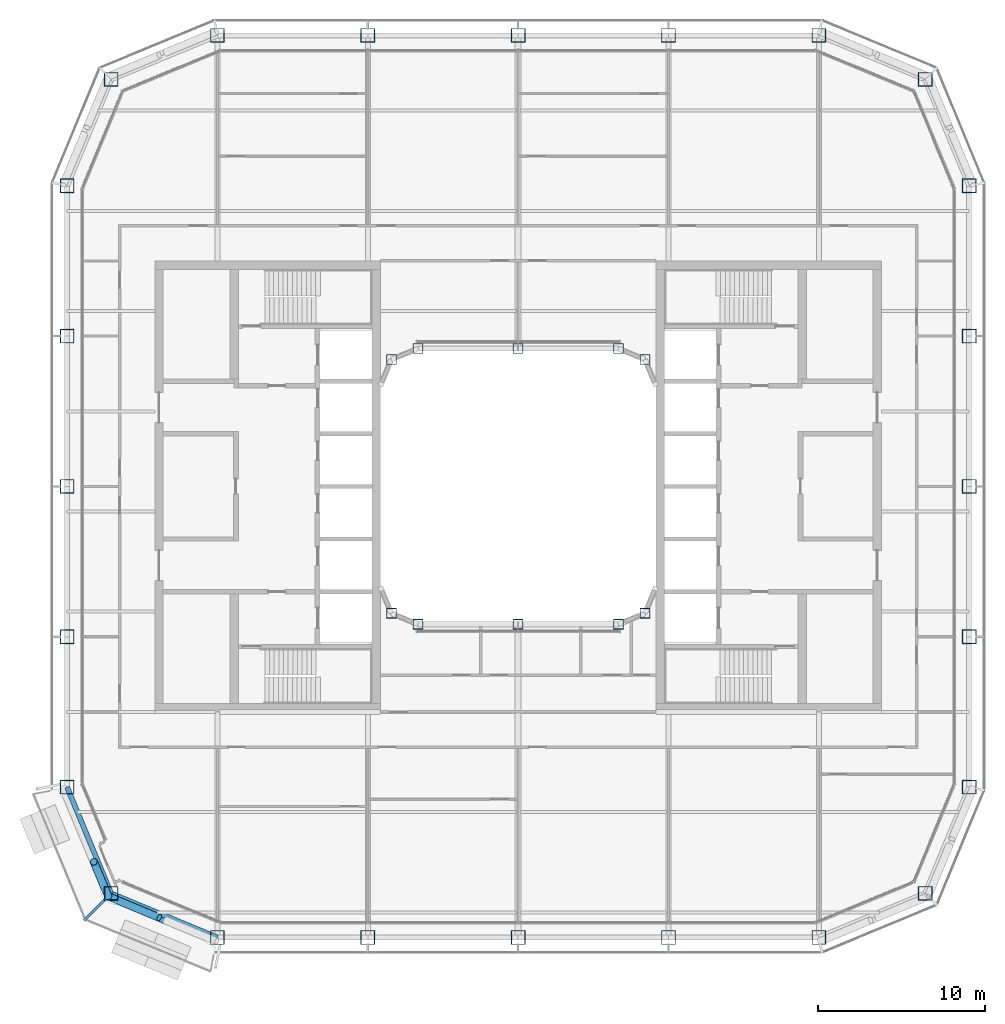
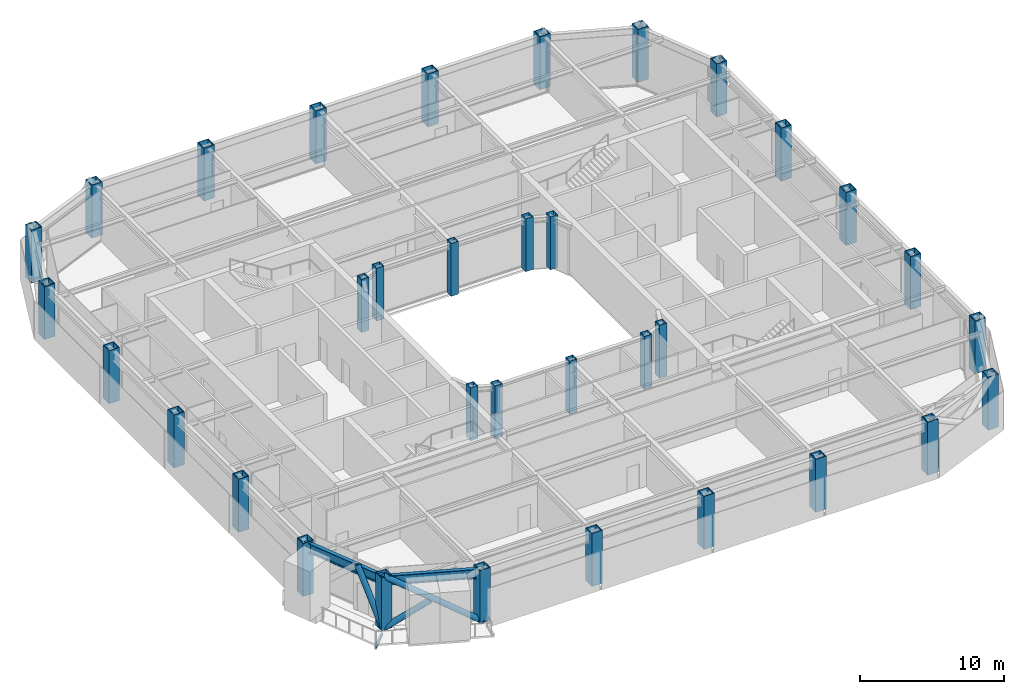
# One storey, part 1 of 23: 34 columns, 3 beams, 3 members.
"""IFC4 building model written with IfcOpenShell, lengths in metres."""

from ifc_helpers import new_model, si_unit, direction, frame, origin, origin_2d, place, context, subcontext, project, spatial, hollow_rectangle, hollow_circle, i_section, extrude, material, material_profile, profile_set, type_object, element, save


model = new_model("IFC4")

# Units and contexts
model_context = context("Model", 3, precision=1e-05, world=origin(), true_north=direction((0.0, 1.0)))
body_context = subcontext(model_context, "Body", "Model", "MODEL_VIEW")
ifc_project = project(units=[si_unit("LENGTHUNIT", "METRE"), si_unit("AREAUNIT", "SQUARE_METRE"), si_unit("VOLUMEUNIT", "CUBIC_METRE"), si_unit("PLANEANGLEUNIT", "RADIAN"), si_unit("MASSUNIT", "GRAM", prefix="KILO")], contexts=[model_context])

# Site, building, storey
site_placement = place(None, origin())
site = spatial("IfcSite", under=ifc_project, at=site_placement, CompositionType="ELEMENT")
building_placement = place(site_placement, origin())
building = spatial("IfcBuilding", under=site, at=building_placement, Name="Siwar Civic Tower", CompositionType="ELEMENT")
storey_placement = place(building_placement, frame((0.0, 0.0, 233.199951171875)))
storey = spatial("IfcBuildingStorey", under=building, at=storey_placement, Name="L50", CompositionType="ELEMENT", Elevation=233.199951171875)

# Columns
ifc_material_1 = material(Name="Steel S355", Category="steel")
ifc_material_profile_1 = material_profile(ifc_material_1, hollow_rectangle(XDim=0.85009765625, YDim=0.85009765625, WallThickness=0.050048828125, at=origin_2d()), Name="BOX850x850x50")
ifc_profile_set_1 = profile_set([ifc_material_profile_1], Name="Steel S355")
column_type_1 = type_object("IfcColumnType", Name="STR-COL-BOX850x850x50", PredefinedType="COLUMN", material=ifc_profile_set_1)
for number, where, z_axis, x_axis, name in (
    (1, (-18.0, -27.0, 0.0), (0.0, 0.0, 1.0), (1.0, 0.0, 0.0), "L50/col/S-0"),
    (2, (-9.0, -27.0, 0.0), (0.0, 0.0, 1.0), (1.0, 0.0, 0.0), "L50/col/S-1"),
    (3, (0.0, -27.0, 0.0), (0.0, 0.0, 1.0), (1.0, 0.0, 0.0), "L50/col/S-2"),
    (4, (9.0, -27.0, 0.0), (0.0, 0.0, 1.0), (1.0, 0.0, 0.0), "L50/col/S-3"),
    (5, (18.0, -27.0, 0.0), (0.0, 0.0, 1.0), (1.0, 0.0, 0.0), "L50/col/SE1-0"),
    (6, (24.364013671875, -24.364013671875, 0.0), (0.0, 0.0, 1.0), (1.0, 0.0, 0.0), "L50/col/SE2-0"),
    (7, (27.0, -18.0, 0.0), (0.0, 0.0, 1.0), (1.0, 0.0, 0.0), "L50/col/E-0"),
    (8, (27.0, -9.0, 0.0), (0.0, 0.0, 1.0), (1.0, 0.0, 0.0), "L50/col/E-1"),
    (9, (27.0, 0.0, 0.0), (0.0, 0.0, 1.0), (1.0, 0.0, 0.0), "L50/col/E-2"),
    (10, (27.0, 9.0, 0.0), (0.0, 0.0, 1.0), (1.0, 0.0, 0.0), "L50/col/E-3"),
    (11, (27.0, 18.0, 0.0), (0.0, 0.0, 1.0), (1.0, 0.0, 0.0), "L50/col/NE1-0"),
    (12, (24.364013671875, 24.364013671875, 0.0), (0.0, 0.0, 1.0), (1.0, 0.0, 0.0), "L50/col/NE2-0"),
    (13, (18.0, 27.0, 0.0), (0.0, 0.0, 1.0), (1.0, 0.0, 0.0), "L50/col/N-0"),
    (14, (9.0, 27.0, 0.0), (0.0, 0.0, 1.0), (1.0, 0.0, 0.0), "L50/col/N-1"),
    (15, (0.0, 27.0, 0.0), (0.0, 0.0, 1.0), (1.0, 0.0, 0.0), "L50/col/N-2"),
    (16, (-9.0, 27.0, 0.0), (0.0, 0.0, 1.0), (1.0, 0.0, 0.0), "L50/col/N-3"),
    (17, (-18.0, 27.0, 0.0), (0.0, 0.0, 1.0), (1.0, 0.0, 0.0), "L50/col/NW1-0"),
    (18, (-24.364013671875, 24.364013671875, 0.0), (0.0, 0.0, 1.0), (1.0, 0.0, 0.0), "L50/col/NW2-0"),
    (19, (-27.0, 18.0, 0.0), (0.0, 0.0, 1.0), (1.0, 0.0, 0.0), "L50/col/W-0"),
    (20, (-27.0, 9.0, 0.0), (0.0, 0.0, 1.0), (1.0, 0.0, 0.0), "L50/col/W-1"),
    (21, (-27.0, 0.0, 0.0), (0.0, 0.0, 1.0), (1.0, 0.0, 0.0), "L50/col/W-2"),
    (22, (-27.0, -9.0, 0.0), (0.0, 0.0, 1.0), (1.0, 0.0, 0.0), "L50/col/W-3"),
    (23, (-27.0, -18.0, 0.0), (0.0, 0.0, 1.0), (1.0, 0.0, 0.0), "L50/col/SW1-0"),
    (24, (-24.364013671875, -24.364013671875, 0.0), (0.0, 0.0, 1.0), (1.0, 0.0, 0.0), "L50/col/SW2-0"),
):
    element("IfcColumn", number, at=place(storey_placement, frame(where, z_axis=z_axis, x_axis=x_axis)), inside=storey, type_object=column_type_1, Name=name, PredefinedType="COLUMN", context=body_context, shape_type="SweptSolid", body=[
        extrude(hollow_rectangle(XDim=0.85009765625, YDim=0.85009765625, WallThickness=0.050048828125, at=origin_2d()), origin(), (0.0, 0.0, 1.0), 4.5),
    ])
ifc_material_2 = material(Name="Steel S355", Category="steel")
ifc_material_profile_2 = material_profile(ifc_material_2, hollow_rectangle(XDim=0.60009765625, YDim=0.60009765625, WallThickness=0.031982421875, at=origin_2d()), Name="BOX600x600x32")
ifc_profile_set_2 = profile_set([ifc_material_profile_2], Name="Steel S355")
column_type_2 = type_object("IfcColumnType", Name="STR-ICOL-BOX600x600x32", PredefinedType="COLUMN", material=ifc_profile_set_2)
for number, where, z_axis, x_axis, name in (
    (25, (-7.591064453125, -7.591064453125, 0.0), (0.0, 0.0, 1.0), (1.0, 0.0, 0.0), "L50/col/IS-0"),
    (26, (-6.0, -8.25, 0.0), (0.0, 0.0, 1.0), (1.0, 0.0, 0.0), "L50/col/IS-1"),
    (27, (0.0, -8.25, 0.0), (0.0, 0.0, 1.0), (1.0, 0.0, 0.0), "L50/col/IS-2"),
    (28, (6.0, -8.25, 0.0), (0.0, 0.0, 1.0), (1.0, 0.0, 0.0), "L50/col/IS-3"),
    (29, (7.591064453125, -7.591064453125, 0.0), (0.0, 0.0, 1.0), (1.0, 0.0, 0.0), "L50/col/IS-4"),
    (30, (-7.591064453125, 7.591064453125, 0.0), (0.0, 0.0, 1.0), (1.0, 0.0, 0.0), "L50/col/IN-0"),
    (31, (-6.0, 8.25, 0.0), (0.0, 0.0, 1.0), (1.0, 0.0, 0.0), "L50/col/IN-1"),
    (32, (0.0, 8.25, 0.0), (0.0, 0.0, 1.0), (1.0, 0.0, 0.0), "L50/col/IN-2"),
    (33, (6.0, 8.25, 0.0), (0.0, 0.0, 1.0), (1.0, 0.0, 0.0), "L50/col/IN-3"),
    (34, (7.591064453125, 7.591064453125, 0.0), (0.0, 0.0, 1.0), (1.0, 0.0, 0.0), "L50/col/IN-4"),
):
    element("IfcColumn", number, at=place(storey_placement, frame(where, z_axis=z_axis, x_axis=x_axis)), inside=storey, type_object=column_type_2, Name=name, PredefinedType="COLUMN", context=body_context, shape_type="SweptSolid", body=[
        extrude(hollow_rectangle(XDim=0.60009765625, YDim=0.60009765625, WallThickness=0.031982421875, at=origin_2d()), origin(), (0.0, 0.0, 1.0), 4.5),
    ])

# Beam
ifc_material_3 = material(Name="Steel S355", Category="steel")
ifc_material_profile_3 = material_profile(ifc_material_3, hollow_rectangle(XDim=0.14990234375, YDim=0.25, WallThickness=0.010009765625, at=origin_2d()), Name="RHS250x150x10")
ifc_profile_set_3 = profile_set([ifc_material_profile_3], Name="Steel S355")
beam_type_1 = type_object("IfcBeamType", Name="ENV-BALCONY ARM", PredefinedType="BEAM", material=ifc_profile_set_3)
beam_placement = place(storey_placement, frame((-24.753662109375, -24.753662109375, -0.27490234375), z_axis=(-0.707106781187, -0.707106781187, 0.0), x_axis=(0.707106781187, -0.707106781187, 0.0)))
element("IfcBeam", 35, at=beam_placement, inside=storey, type_object=beam_type_1, Name="Balcony cantilever beam SW 2", PredefinedType="BEAM", context=body_context, shape_type="SweptSolid", body=[
    extrude(hollow_rectangle(XDim=0.14990234375, YDim=0.25, WallThickness=0.010009765625, at=origin_2d()), origin(), (0.0, 0.0, 1.0), 1.721923828125),
])

# Members
ifc_material_4 = material(Name="Steel S355", Category="steel")
ifc_material_profile_4 = material_profile(ifc_material_4, hollow_circle(Radius=0.228515625, WallThickness=0.02001953125, at=origin_2d()), Name="CHS457x20")
ifc_profile_set_4 = profile_set([ifc_material_profile_4], Name="Steel S355")
member_type = type_object("IfcMemberType", Name="STR-BR-CHS457x20", PredefinedType="BRACE", material=ifc_profile_set_4)
member_1_placement = place(storey_placement, frame((-18.048828125, -27.2451171875, 0.0), z_axis=(-0.777554562952, 0.323905527954, 0.538975055633), x_axis=(-0.384538969033, -0.923108759191, 0.0)))
element("IfcMember", 36, at=member_1_placement, inside=storey, type_object=member_type, Name="L50/brc/CSW1-10-0-1", PredefinedType="BRACE", context=body_context, shape_type="SweptSolid", body=[
    extrude(hollow_circle(Radius=0.228515625, WallThickness=0.02001953125, at=origin_2d()), origin(), (0.0, 0.0, 1.0), 8.34912109375),
])
member_2_placement = place(storey_placement, frame((-24.540771484375, -24.540771484375, 0.0), z_axis=(0.777546448489, -0.323884455881, 0.538999424564), x_axis=(0.38452107079, 0.92311621485, 0.0)))
element("IfcMember", 37, at=member_2_placement, inside=storey, type_object=member_type, Name="L50/brc/CSW1-10-0-2", PredefinedType="BRACE", context=body_context, shape_type="SweptSolid", body=[
    extrude(hollow_circle(Radius=0.228515625, WallThickness=0.02001953125, at=origin_2d()), origin(), (0.0, 0.0, 1.0), 3.927978515625),
])
member_3_placement = place(storey_placement, frame((-24.540771484375, -24.540771484375, 0.0), z_axis=(-0.171426870802, 0.411570178484, 0.895110504993), x_axis=(-0.923125254544, -0.384499368559, 0.0)))
element("IfcMember", 38, at=member_3_placement, inside=storey, type_object=member_type, Name="L50/brc/CSW1-10-0-6", PredefinedType="BRACE", context=body_context, shape_type="SweptSolid", body=[
    extrude(hollow_circle(Radius=0.228515625, WallThickness=0.02001953125, at=origin_2d()), origin(), (0.0, 0.0, 1.0), 5.02734375),
])

# Beams
ifc_material_5 = material(Name="Steel S355", Category="steel")
ifc_material_profile_5 = material_profile(ifc_material_5, i_section(OverallWidth=0.300048828125, OverallDepth=0.800048828125, WebThickness=0.017578125, FlangeThickness=0.032958984375, FilletRadius=0.030029296875, at=origin_2d()), Name="HEB800")
ifc_profile_set_5 = profile_set([ifc_material_profile_5], Name="Steel S355")
beam_type_2 = type_object("IfcBeamType", Name="STR-SB-HEB800", PredefinedType="BEAM", material=ifc_profile_set_5)
for number, where, z_axis, x_axis, name in (
    (39, (-27.0, -18.0, 3.949951171875), (0.382674207535, -0.923883353507, 0.0), (0.923883353507, 0.382674207535, 0.0), "L50/bm/SSW1-0"),
    (40, (-24.364013671875, -24.364013671875, 3.949951171875), (0.923883353507, -0.382674207535, 0.0), (0.382674207535, 0.923883353507, 0.0), "L50/bm/SSW2-0"),
):
    element("IfcBeam", number, at=place(storey_placement, frame(where, z_axis=z_axis, x_axis=x_axis)), inside=storey, type_object=beam_type_2, Name=name, PredefinedType="BEAM", context=body_context, shape_type="SweptSolid", body=[
        extrude(i_section(OverallWidth=0.300048828125, OverallDepth=0.800048828125, WebThickness=0.017578125, FlangeThickness=0.032958984375, FilletRadius=0.030029296875, at=origin_2d()), origin(), (0.0, 0.0, 1.0), 6.888427734375),
    ])

save(model, "model.ifc")
